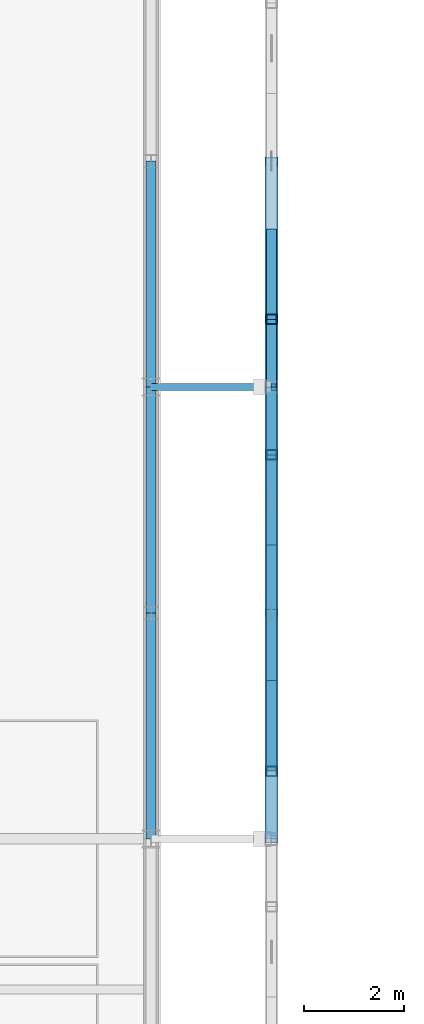
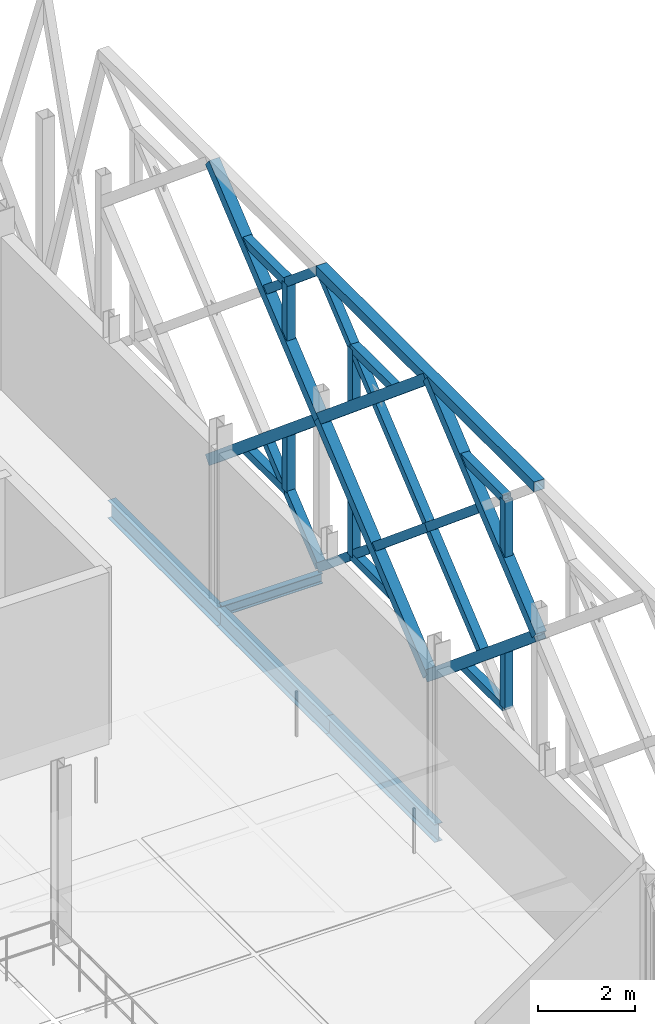
# One storey, part 23 of 66: 26 members, 4 beams.
"""IFC4 building model written with IfcOpenShell, lengths in metres."""

from ifc_helpers import new_model, si_unit, direction, frame, origin, origin_2d, place, context, subcontext, project, spatial, hollow_rectangle, i_section, extrude, material, material_profile, profile_set, type_object, element, save


model = new_model("IFC4")

# Units and contexts
model_context = context("Model", 3, precision=1e-05, world=origin(), true_north=direction((0.0, 1.0)))
body_context = subcontext(model_context, "Body", "Model", "MODEL_VIEW")
ifc_project = project(units=[si_unit("LENGTHUNIT", "METRE"), si_unit("AREAUNIT", "SQUARE_METRE"), si_unit("VOLUMEUNIT", "CUBIC_METRE"), si_unit("PLANEANGLEUNIT", "RADIAN"), si_unit("MASSUNIT", "GRAM", prefix="KILO"), si_unit("THERMODYNAMICTEMPERATUREUNIT", "KELVIN"), si_unit("POWERUNIT", "WATT")], contexts=[model_context])

# Site, building, storey
site_placement = place(None, origin())
site = spatial("IfcSite", under=ifc_project, at=site_placement, CompositionType="ELEMENT")
building_placement = place(site_placement, origin())
building = spatial("IfcBuilding", under=site, at=building_placement, Name="Tallowbark Science Centre", CompositionType="ELEMENT")
storey_placement = place(building_placement, frame((0.0, 0.0, 18.89990234375)))
storey = spatial("IfcBuildingStorey", under=building, at=storey_placement, Name="L04", CompositionType="ELEMENT", Elevation=18.89990234375)

# Beam
ifc_material_1 = material(Name="White Architectural Painted Steel Grade C350L0 (350 MPa)", Category="steel")
ifc_material_profile_1 = material_profile(ifc_material_1, i_section(OverallWidth=0.146484375, OverallDepth=0.256103515625, WebThickness=0.00634765625, FlangeThickness=0.010986328125, FilletRadius=0.0087890625, at=origin_2d()), Name="250UB37.3")
ifc_profile_set_1 = profile_set([ifc_material_profile_1], Name="White Architectural Painted Steel Grade C350L0 (350 MPa)")
beam_type_1 = type_object("IfcBeamType", Name="BM-OUT250", PredefinedType="BEAM", material=ifc_profile_set_1)
beam_placement = place(storey_placement, frame((103.5, 31.5, -0.25), z_axis=(1.0, 0.0, 0.0), x_axis=(0.0, 1.0, 0.0)))
element("IfcBeam", 1, at=beam_placement, inside=storey, type_object=beam_type_1, Name="Star Screen Outrigger Tie Beam E-76", PredefinedType="BEAM", context=body_context, shape_type="SweptSolid", body=[
    extrude(i_section(OverallWidth=0.146484375, OverallDepth=0.256103515625, WebThickness=0.00634765625, FlangeThickness=0.010986328125, FilletRadius=0.0087890625, at=origin_2d()), origin(), (0.0, 0.0, 1.0), 2.39990234375),
])

# Members
ifc_material_profile_2 = material_profile(ifc_material_1, hollow_rectangle(XDim=0.25, YDim=0.25, WallThickness=0.009033203125, at=origin_2d()), Name="250x250x9.0SHS")
ifc_profile_set_2 = profile_set([ifc_material_profile_2], Name="White Architectural Painted Steel Grade C350L0 (350 MPa)")
member_type_1 = type_object("IfcMemberType", Name="SCR-CHD200", PredefinedType="CHORD", material=ifc_profile_set_2)
member_1_placement = place(storey_placement, frame((105.89990234375, 22.5, 7.5), z_axis=(0.0, 1.0, 0.0), x_axis=(-1.0, 0.0, 0.0)))
element("IfcMember", 2, at=member_1_placement, inside=storey, type_object=member_type_1, Name="Star Screen Frame Chord E-51", PredefinedType="CHORD", context=body_context, shape_type="SweptSolid", body=[
    extrude(hollow_rectangle(XDim=0.25, YDim=0.25, WallThickness=0.009033203125, at=origin_2d()), origin(), (0.0, 0.0, 1.0), 9.0),
])
for number, where, z_axis, x_axis, name in (
    (3, (105.89990234375, 27.0, 0.0), (0.0, 0.768221279597, 0.640184399664), (-1.0, 0.0, 0.0), "Star Screen Octagram Diamond Chord E-51-1"),
    (4, (105.89990234375, 31.5, 3.75), (0.0, -0.768221279597, 0.640184399664), (1.0, 0.0, 0.0), "Star Screen Octagram Diamond Chord E-51-2"),
    (5, (105.89990234375, 27.0, 7.5), (0.0, -0.768221279597, -0.640184399664), (1.0, 0.0, 0.0), "Star Screen Octagram Diamond Chord E-51-3"),
    (6, (105.89990234375, 22.5, 3.75), (0.0, 0.768221279597, -0.640184399664), (-1.0, 0.0, 0.0), "Star Screen Octagram Diamond Chord E-51-4"),
    (7, (105.89990234375, 36.0, 7.5), (0.0, -0.768221279597, -0.640184399664), (1.0, 0.0, 0.0), "Star Screen Octagram Diamond Chord E-53-3"),
    (8, (105.89990234375, 31.5, 3.75), (0.0, 0.768221279597, -0.640184399664), (-1.0, 0.0, 0.0), "Star Screen Octagram Diamond Chord E-53-4"),
):
    element("IfcMember", number, at=place(storey_placement, frame(where, z_axis=z_axis, x_axis=x_axis)), inside=storey, type_object=member_type_1, Name=name, PredefinedType="CHORD", context=body_context, shape_type="SweptSolid", body=[
        extrude(hollow_rectangle(XDim=0.25, YDim=0.25, WallThickness=0.009033203125, at=origin_2d()), origin(), (0.0, 0.0, 1.0), 5.857666015625),
    ])
ifc_material_profile_3 = material_profile(ifc_material_1, hollow_rectangle(XDim=0.199951171875, YDim=0.199951171875, WallThickness=0.009033203125, at=origin_2d()), Name="200x200x9.0SHS")
ifc_profile_set_3 = profile_set([ifc_material_profile_3], Name="White Architectural Painted Steel Grade C350L0 (350 MPa)")
member_type_2 = type_object("IfcMemberType", Name="SCR-STAR139", PredefinedType="BRACE", material=ifc_profile_set_3)
member_2_placement = place(storey_placement, frame((105.89990234375, 24.75, 1.875), z_axis=(0.0, 0.768221279597, 0.640184399664), x_axis=(-1.0, 0.0, 0.0)))
element("IfcMember", 9, at=member_2_placement, inside=storey, type_object=member_type_2, Name="Star Screen Continuous X-Diagonal D1M E-51", PredefinedType="BRACE", context=body_context, shape_type="SweptSolid", body=[
    extrude(hollow_rectangle(XDim=0.199951171875, YDim=0.199951171875, WallThickness=0.009033203125, at=origin_2d()), origin(), (0.0, 0.0, 1.0), 5.857666015625),
])
for number, where, z_axis, x_axis, name in (
    (10, (105.89990234375, 29.25, 5.625), (0.0, 0.768221279597, 0.640184399664), (-1.0, 0.0, 0.0), "Star Screen Continuous X-Diagonal D1B E-51"),
    (11, (105.89990234375, 24.75, 5.625), (0.0, 0.768221279597, -0.640184399664), (-1.0, 0.0, 0.0), "Star Screen Split X-Diagonal D2B E-51"),
    (12, (105.89990234375, 27.0, 3.75), (0.0, 0.768221279597, -0.640184399664), (-1.0, 0.0, 0.0), "Star Screen Split X-Diagonal D2C E-51"),
    (13, (105.89990234375, 29.25, 1.875), (0.0, 0.768221279597, -0.640184399664), (-1.0, 0.0, 0.0), "Star Screen Split X-Diagonal D2D E-51"),
    (14, (105.89990234375, 31.5, 0.0), (0.0, 0.768221279597, 0.640184399664), (-1.0, 0.0, 0.0), "Star Screen Continuous X-Diagonal D1A E-53"),
    (15, (105.89990234375, 31.5, 7.5), (0.0, 0.768221279597, -0.640184399664), (-1.0, 0.0, 0.0), "Star Screen Split X-Diagonal D2A E-53"),
):
    element("IfcMember", number, at=place(storey_placement, frame(where, z_axis=z_axis, x_axis=x_axis)), inside=storey, type_object=member_type_2, Name=name, PredefinedType="BRACE", context=body_context, shape_type="SweptSolid", body=[
        extrude(hollow_rectangle(XDim=0.199951171875, YDim=0.199951171875, WallThickness=0.009033203125, at=origin_2d()), origin(), (0.0, 0.0, 1.0), 2.928955078125),
    ])
ifc_material_profile_4 = material_profile(ifc_material_1, hollow_rectangle(XDim=0.199951171875, YDim=0.199951171875, WallThickness=0.009033203125, at=origin_2d()), Name="200x200x9.0SHS")
ifc_profile_set_4 = profile_set([ifc_material_profile_4], Name="White Architectural Painted Steel Grade C350L0 (350 MPa)")
member_type_3 = type_object("IfcMemberType", Name="SCR-SUB150", PredefinedType="BRACE", material=ifc_profile_set_4)
member_3_placement = place(storey_placement, frame((105.89990234375, 23.85009765625, 1.125), z_axis=(0.0, 1.0, 0.0), x_axis=(-1.0, 0.0, 0.0)))
element("IfcMember", 16, at=member_3_placement, inside=storey, type_object=member_type_3, Name="Star Screen Octagram Point Ray E-51-1", PredefinedType="BRACE", context=body_context, shape_type="SweptSolid", body=[
    extrude(hollow_rectangle(XDim=0.199951171875, YDim=0.199951171875, WallThickness=0.009033203125, at=origin_2d()), origin(), (0.0, 0.0, 1.0), 1.7998046875),
])
member_4_placement = place(storey_placement, frame((105.89990234375, 23.85009765625, 1.125), z_axis=(0.0, 0.0, 1.0), x_axis=(1.0, 0.0, 0.0)))
element("IfcMember", 17, at=member_4_placement, inside=storey, type_object=member_type_3, Name="Star Screen Octagram Point Ray E-51-2", PredefinedType="BRACE", context=body_context, shape_type="SweptSolid", body=[
    extrude(hollow_rectangle(XDim=0.199951171875, YDim=0.199951171875, WallThickness=0.009033203125, at=origin_2d()), origin(), (0.0, 0.0, 1.0), 1.5),
])
member_5_placement = place(storey_placement, frame((105.89990234375, 30.14990234375, 1.125), z_axis=(0.0, -1.0, 0.0), x_axis=(1.0, 0.0, 0.0)))
element("IfcMember", 18, at=member_5_placement, inside=storey, type_object=member_type_3, Name="Star Screen Octagram Point Ray E-51-3", PredefinedType="BRACE", context=body_context, shape_type="SweptSolid", body=[
    extrude(hollow_rectangle(XDim=0.199951171875, YDim=0.199951171875, WallThickness=0.009033203125, at=origin_2d()), origin(), (0.0, 0.0, 1.0), 1.7998046875),
])
member_6_placement = place(storey_placement, frame((105.89990234375, 30.14990234375, 1.125), z_axis=(0.0, 0.0, 1.0), x_axis=(1.0, 0.0, 0.0)))
element("IfcMember", 19, at=member_6_placement, inside=storey, type_object=member_type_3, Name="Star Screen Octagram Point Ray E-51-4", PredefinedType="BRACE", context=body_context, shape_type="SweptSolid", body=[
    extrude(hollow_rectangle(XDim=0.199951171875, YDim=0.199951171875, WallThickness=0.009033203125, at=origin_2d()), origin(), (0.0, 0.0, 1.0), 1.5),
])
member_7_placement = place(storey_placement, frame((105.89990234375, 30.14990234375, 6.375), z_axis=(0.0, -1.0, 0.0), x_axis=(1.0, 0.0, 0.0)))
element("IfcMember", 20, at=member_7_placement, inside=storey, type_object=member_type_3, Name="Star Screen Octagram Point Ray E-51-5", PredefinedType="BRACE", context=body_context, shape_type="SweptSolid", body=[
    extrude(hollow_rectangle(XDim=0.199951171875, YDim=0.199951171875, WallThickness=0.009033203125, at=origin_2d()), origin(), (0.0, 0.0, 1.0), 1.7998046875),
])
member_8_placement = place(storey_placement, frame((105.89990234375, 30.14990234375, 6.375), z_axis=(0.0, 0.0, -1.0), x_axis=(1.0, 0.0, 0.0)))
element("IfcMember", 21, at=member_8_placement, inside=storey, type_object=member_type_3, Name="Star Screen Octagram Point Ray E-51-6", PredefinedType="BRACE", context=body_context, shape_type="SweptSolid", body=[
    extrude(hollow_rectangle(XDim=0.199951171875, YDim=0.199951171875, WallThickness=0.009033203125, at=origin_2d()), origin(), (0.0, 0.0, 1.0), 1.5),
])
member_9_placement = place(storey_placement, frame((105.89990234375, 23.85009765625, 6.375), z_axis=(0.0, 1.0, 0.0), x_axis=(-1.0, 0.0, 0.0)))
element("IfcMember", 22, at=member_9_placement, inside=storey, type_object=member_type_3, Name="Star Screen Octagram Point Ray E-51-7", PredefinedType="BRACE", context=body_context, shape_type="SweptSolid", body=[
    extrude(hollow_rectangle(XDim=0.199951171875, YDim=0.199951171875, WallThickness=0.009033203125, at=origin_2d()), origin(), (0.0, 0.0, 1.0), 1.7998046875),
])
member_10_placement = place(storey_placement, frame((105.89990234375, 23.85009765625, 6.375), z_axis=(0.0, 0.0, -1.0), x_axis=(1.0, 0.0, 0.0)))
element("IfcMember", 23, at=member_10_placement, inside=storey, type_object=member_type_3, Name="Star Screen Octagram Point Ray E-51-8", PredefinedType="BRACE", context=body_context, shape_type="SweptSolid", body=[
    extrude(hollow_rectangle(XDim=0.199951171875, YDim=0.199951171875, WallThickness=0.009033203125, at=origin_2d()), origin(), (0.0, 0.0, 1.0), 1.5),
])
member_11_placement = place(storey_placement, frame((105.89990234375, 32.85009765625, 1.125), z_axis=(0.0, 1.0, 0.0), x_axis=(-1.0, 0.0, 0.0)))
element("IfcMember", 24, at=member_11_placement, inside=storey, type_object=member_type_3, Name="Star Screen Octagram Point Ray E-53-1", PredefinedType="BRACE", context=body_context, shape_type="SweptSolid", body=[
    extrude(hollow_rectangle(XDim=0.199951171875, YDim=0.199951171875, WallThickness=0.009033203125, at=origin_2d()), origin(), (0.0, 0.0, 1.0), 1.7998046875),
])
member_12_placement = place(storey_placement, frame((105.89990234375, 32.85009765625, 1.125), z_axis=(0.0, 0.0, 1.0), x_axis=(1.0, 0.0, 0.0)))
element("IfcMember", 25, at=member_12_placement, inside=storey, type_object=member_type_3, Name="Star Screen Octagram Point Ray E-53-2", PredefinedType="BRACE", context=body_context, shape_type="SweptSolid", body=[
    extrude(hollow_rectangle(XDim=0.199951171875, YDim=0.199951171875, WallThickness=0.009033203125, at=origin_2d()), origin(), (0.0, 0.0, 1.0), 1.5),
])
member_13_placement = place(storey_placement, frame((105.89990234375, 32.85009765625, 6.375), z_axis=(0.0, 1.0, 0.0), x_axis=(-1.0, 0.0, 0.0)))
element("IfcMember", 26, at=member_13_placement, inside=storey, type_object=member_type_3, Name="Star Screen Octagram Point Ray E-53-7", PredefinedType="BRACE", context=body_context, shape_type="SweptSolid", body=[
    extrude(hollow_rectangle(XDim=0.199951171875, YDim=0.199951171875, WallThickness=0.009033203125, at=origin_2d()), origin(), (0.0, 0.0, 1.0), 1.7998046875),
])
member_14_placement = place(storey_placement, frame((105.89990234375, 32.85009765625, 6.375), z_axis=(0.0, 0.0, -1.0), x_axis=(1.0, 0.0, 0.0)))
element("IfcMember", 27, at=member_14_placement, inside=storey, type_object=member_type_3, Name="Star Screen Octagram Point Ray E-53-8", PredefinedType="BRACE", context=body_context, shape_type="SweptSolid", body=[
    extrude(hollow_rectangle(XDim=0.199951171875, YDim=0.199951171875, WallThickness=0.009033203125, at=origin_2d()), origin(), (0.0, 0.0, 1.0), 1.5),
])

# Beams
ifc_material_2 = material(Name="Structural Steel Grade 300PLUS (300 MPa)", Category="steel")
ifc_material_profile_5 = material_profile(ifc_material_2, i_section(OverallWidth=0.18994140625, OverallDepth=0.453857421875, WebThickness=0.008544921875, FlangeThickness=0.0126953125, FilletRadius=0.011474609375, at=origin_2d()), Name="460UB67.1")
ifc_profile_set_5 = profile_set([ifc_material_profile_5], Name="Structural Steel Grade 300PLUS (300 MPa)")
beam_type_2 = type_object("IfcBeamType", Name="SPN-UB460", PredefinedType="SPANDREL", material=ifc_profile_set_5)
for number, where, z_axis, x_axis, name in (
    (28, (103.5, 22.5, -0.40673828125), (0.0, 1.0, 0.0), (-1.0, 0.0, 0.0), "Primary Girder GRDY-L04-1035-225-270"),
    (29, (103.5, 27.0, -0.40673828125), (0.0, 1.0, 0.0), (-1.0, 0.0, 0.0), "Primary Girder GRDY-L04-1035-270-315"),
    (30, (103.5, 31.5, -0.40673828125), (0.0, 1.0, 0.0), (-1.0, 0.0, 0.0), "Primary Girder GRDY-L04-1035-315-360"),
):
    element("IfcBeam", number, at=place(storey_placement, frame(where, z_axis=z_axis, x_axis=x_axis)), inside=storey, type_object=beam_type_2, Name=name, PredefinedType="SPANDREL", context=body_context, shape_type="SweptSolid", body=[
        extrude(i_section(OverallWidth=0.18994140625, OverallDepth=0.453857421875, WebThickness=0.008544921875, FlangeThickness=0.0126953125, FilletRadius=0.011474609375, at=origin_2d()), origin(), (0.0, 0.0, 1.0), 4.5),
    ])

save(model, "model.ifc")
